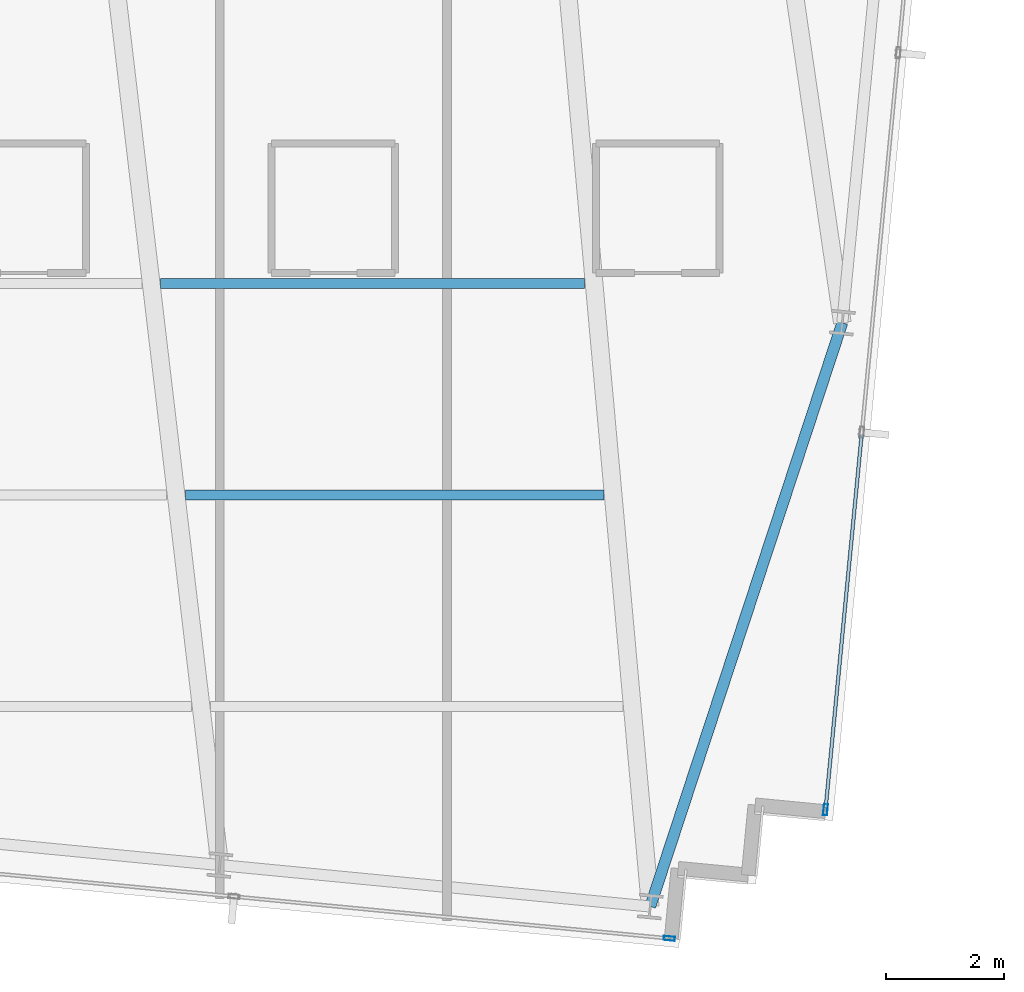
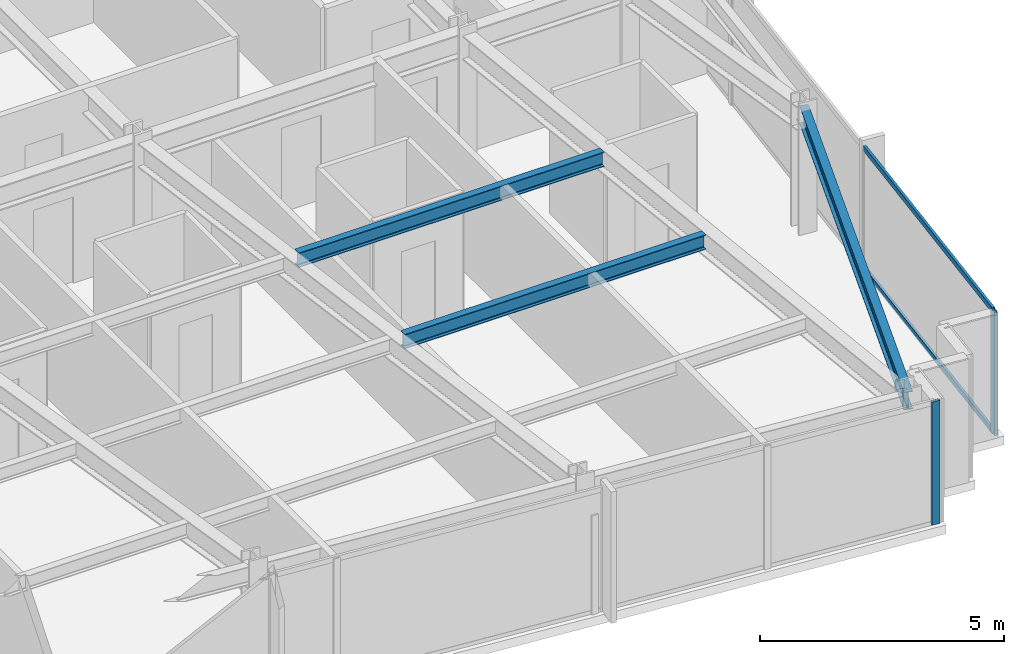
# One storey, part 14 of 37: 4 members, 3 beams, 2 elements without a shape of their own.
"""IFC4 building model written with IfcOpenShell, lengths in metres."""

import ifcopenshell
import ifcopenshell.guid

model = None  # the IFC model being written
_history = None  # IfcOwnerHistory: only IFC2X3 demands one
_inside = {}  # id of a spatial element -> (the spatial element, [elements in it])
_under = {}  # id of a project, library or spatial element -> (it, [spatial elements below it])
_declared = {}  # id of a project -> (the project, [libraries it declares])
_typed = {}  # id of a type object -> (the type object, [elements of that type])
_made_of = {}  # id of a material, layer set ... -> (it, [elements and type objects made of it])


def new_model(schema):
    """Start an empty IFC model of exactly this schema.

    Asked for "IFC4X3", IfcOpenShell would pick the latest addendum, in which some entities
    have other attributes; the version numbers below select the first issue.
    IFC2X3 requires an IfcOwnerHistory on every rooted entity: one is made here for all.
    """
    global model, _history
    if schema == "IFC4X3":
        model = ifcopenshell.file(schema_version=(4, 3, 0, 0))
    else:
        model = ifcopenshell.file(schema=schema)
    _inside.clear()
    _under.clear()
    _declared.clear()
    _typed.clear()
    _made_of.clear()
    _history = None
    if model.schema == "IFC2X3":
        org = make("IfcOrganization", Name="unknown")
        user = make(
            "IfcPersonAndOrganization",
            ThePerson=make("IfcPerson", FamilyName="unknown"),
            TheOrganization=org,
        )
        app = make(
            "IfcApplication",
            ApplicationDeveloper=org,
            Version="unknown",
            ApplicationFullName="unknown",
            ApplicationIdentifier="unknown",
        )
        _history = make(
            "IfcOwnerHistory",
            OwningUser=user,
            OwningApplication=app,
            ChangeAction="ADDED",
            CreationDate=0,
        )
    return model


def make(cls, **values):
    """One entity of the class cls with the attributes given. An attribute that is None is left unset."""
    return model.create_entity(
        cls, **{name: value for name, value in values.items() if value is not None}
    )


def rooted(cls, **values):
    """An entity with a GlobalId (a new one), such as an element, a storey or a relation."""
    return make(cls, GlobalId=ifcopenshell.guid.new(), OwnerHistory=_history, **values)


def si_unit(unit_type, name, prefix=None):
    """IfcSIUnit, for example si_unit("LENGTHUNIT", "METRE", prefix="MILLI")."""
    return make("IfcSIUnit", UnitType=unit_type, Prefix=prefix, Name=name)


def assignment(units):
    """IfcUnitAssignment: the units of a project."""
    return None if units is None else make("IfcUnitAssignment", Units=units)


def point(xyz):
    """IfcCartesianPoint."""
    return None if xyz is None else make("IfcCartesianPoint", Coordinates=xyz)


def direction(xyz):
    """IfcDirection."""
    return None if xyz is None else make("IfcDirection", DirectionRatios=xyz)


def frame(location, z_axis=None, x_axis=None):
    """IfcAxis2Placement3D, a coordinate frame: its origin and axes. An axis left out is left unset."""
    return make(
        "IfcAxis2Placement3D",
        Location=point(location),
        Axis=direction(z_axis),
        RefDirection=direction(x_axis),
    )


def frame_2d(location, x_axis=None):
    """IfcAxis2Placement2D, a coordinate frame in the plane: its origin and x axis."""
    return make(
        "IfcAxis2Placement2D", Location=point(location), RefDirection=direction(x_axis)
    )


def origin():
    """The frame at (0, 0, 0) with its axes left unset."""
    return frame((0.0, 0.0, 0.0))


def origin_2d():
    """The frame at (0, 0) in the plane with its x axis left unset."""
    return frame_2d((0.0, 0.0))


def place(relative_to, where):
    """IfcLocalPlacement: puts the frame where relative to a parent placement (None: the world)."""
    return make(
        "IfcLocalPlacement", PlacementRelTo=relative_to, RelativePlacement=where
    )


def context(
    kind, dimensions, precision=None, world=None, true_north=None, identifier=None
):
    """IfcGeometricRepresentationContext, for example the 3D "Model" context."""
    return make(
        "IfcGeometricRepresentationContext",
        ContextIdentifier=identifier,
        ContextType=kind,
        CoordinateSpaceDimension=dimensions,
        Precision=precision,
        WorldCoordinateSystem=world,
        TrueNorth=true_north,
    )


def subcontext(parent, identifier, kind, view, scale=None):
    """IfcGeometricRepresentationSubContext, for example "Body" below "Model"."""
    return make(
        "IfcGeometricRepresentationSubContext",
        ContextIdentifier=identifier,
        ContextType=kind,
        ParentContext=parent,
        TargetScale=scale,
        TargetView=view,
    )


def project(units=None, contexts=None):
    """IfcProject with its units and contexts."""
    return rooted(
        "IfcProject",
        Name="project",
        RepresentationContexts=contexts,
        UnitsInContext=assignment(units),
    )


def spatial(cls, under=None, at=None, **own):
    """A site, building, storey or space (cls), placed at a placement, below another one or the project."""
    s = rooted(cls, ObjectPlacement=at, **own)
    if under is not None:
        _under.setdefault(under.id(), (under, []))[1].append(s)
    return s


def profile(cls, at=None, kind="AREA", **sizes):
    """A parametric profile (cls). Its sizes go by their IFC names, for example OverallWidth=200.0."""
    return make(cls, ProfileType=kind, Position=at, **sizes)


def hollow_rectangle(**sizes):
    """IfcRectangleHollowProfileDef."""
    return profile("IfcRectangleHollowProfileDef", **sizes)


def i_section(**sizes):
    """IfcIShapeProfileDef."""
    return profile("IfcIShapeProfileDef", **sizes)


def extrude(swept, where, along, depth):
    """IfcExtrudedAreaSolid: the profile swept, set in the frame where, extruded along a direction by depth."""
    return make(
        "IfcExtrudedAreaSolid",
        SweptArea=swept,
        Position=where,
        ExtrudedDirection=direction(along),
        Depth=depth,
    )


def shape(context_of_items, identifier, shape_type, items):
    """IfcShapeRepresentation: the items that make up one representation, for example the "Body"."""
    return make(
        "IfcShapeRepresentation",
        ContextOfItems=context_of_items,
        RepresentationIdentifier=identifier,
        RepresentationType=shape_type,
        Items=items,
    )


def material(Name=None, Category=None):
    """IfcMaterial."""
    return make("IfcMaterial", Name=Name, Category=Category)


def material_profile(
    of_material, cross_section, Name=None, Category=None, Priority=None
):
    """IfcMaterialProfile: a cross section and its material."""
    return make(
        "IfcMaterialProfile",
        Name=Name,
        Material=of_material,
        Profile=cross_section,
        Priority=Priority,
        Category=Category,
    )


def profile_set(profiles, Name=None, composite=None):
    """IfcMaterialProfileSet."""
    return make(
        "IfcMaterialProfileSet",
        Name=Name,
        MaterialProfiles=profiles,
        CompositeProfile=composite,
    )


def made_of(thing, what):
    """Note that an element or type object is made of a material, layer set ...; save() writes the relation."""
    if what is not None:
        _made_of.setdefault(what.id(), (what, []))[1].append(thing)
    return thing


def type_object(cls, material=None, **own):
    """A type object (cls), such as IfcWallType, which elements share."""
    return made_of(rooted(cls, **own), material)


def element(
    cls,
    number,
    at=None,
    inside=None,
    cuts=None,
    type_object=None,
    material=None,
    context=None,
    identifier="Body",
    shape_type=None,
    held_by="IfcProductDefinitionShape",
    body=None,
    shapes=None,
    **own,
):
    """One element of the class cls, such as IfcWall. Its Tag is "e" and its number.

    at: its placement. inside: the storey or other place that contains it. cuts: it is an
    opening in that element (IfcRelVoidsElement). A single representation is given by context,
    identifier, shape_type and body (its items); several are given by shapes. held_by: the class
    of the entity that holds the representations. save() writes the other relations.
    """
    e = rooted(cls, Tag="e%d" % number, ObjectPlacement=at, **own)
    if body is not None:
        shapes = [shape(context, identifier, shape_type, body)]
    if shapes is not None:
        e.Representation = make(held_by, Representations=shapes)
    if inside is not None:
        _inside.setdefault(inside.id(), (inside, []))[1].append(e)
    if cuts is not None:
        rooted(
            "IfcRelVoidsElement", RelatingBuildingElement=cuts, RelatedOpeningElement=e
        )
    if type_object is not None:
        _typed.setdefault(type_object.id(), (type_object, []))[1].append(e)
    return made_of(e, material)


def aggregate(whole, parts):
    """IfcRelAggregates: a whole, such as a stair, and the parts it consists of."""
    return rooted("IfcRelAggregates", RelatingObject=whole, RelatedObjects=parts)


def save(model, path):
    """Write the relations noted so far, then the file.

    IfcRelAggregates (storeys below a building ...), IfcRelContainedInSpatialStructure (elements
    in a storey), IfcRelDefinesByType, IfcRelAssociatesMaterial and IfcRelDeclares: one each for
    every whole, place, type object, material and project.
    """
    for whole, parts in _under.values():
        aggregate(whole, parts)
    for where, things in _inside.values():
        rooted(
            "IfcRelContainedInSpatialStructure",
            RelatedElements=things,
            RelatingStructure=where,
        )
    for kind, things in _typed.values():
        rooted("IfcRelDefinesByType", RelatedObjects=things, RelatingType=kind)
    for what, things in _made_of.values():
        rooted("IfcRelAssociatesMaterial", RelatedObjects=things, RelatingMaterial=what)
    for by, libraries in _declared.values():
        rooted("IfcRelDeclares", RelatingContext=by, RelatedDefinitions=libraries)
    model.write(path)


model = new_model("IFC4")

# Units and contexts
model_context = context("Model", 3, precision=1e-05, world=origin(), true_north=direction((0.0, 1.0)))
body_context = subcontext(model_context, "Body", "Model", "MODEL_VIEW")
ifc_project = project(units=[si_unit("LENGTHUNIT", "METRE"), si_unit("AREAUNIT", "SQUARE_METRE"), si_unit("VOLUMEUNIT", "CUBIC_METRE"), si_unit("PLANEANGLEUNIT", "RADIAN"), si_unit("MASSUNIT", "GRAM", prefix="KILO")], contexts=[model_context])

# Site, building, storey
site_placement = place(None, origin())
site = spatial("IfcSite", under=ifc_project, at=site_placement, CompositionType="ELEMENT")
building_placement = place(site_placement, origin())
building = spatial("IfcBuilding", under=site, at=building_placement, Name="Yelkora Congress Tower", CompositionType="ELEMENT")
storey_placement = place(building_placement, frame((0.0, 0.0, 162.199951171875)))
storey = spatial("IfcBuildingStorey", under=building, at=storey_placement, Name="L44", CompositionType="ELEMENT", Elevation=162.199951171875)

# Beams
ifc_material_1 = material(Name="Steel S355J2", Category="steel")
ifc_material_profile_1 = material_profile(ifc_material_1, i_section(OverallWidth=0.169921875, OverallDepth=0.360107421875, WebThickness=0.008056640625, FlangeThickness=0.0126953125, FilletRadius=0.01806640625, at=origin_2d()), Name="IPE 360")
ifc_profile_set_1 = profile_set([ifc_material_profile_1], Name="Steel S355J2")
beam_type_1 = type_object("IfcBeamType", Name="BM-JOIST-IPE360", PredefinedType="JOIST", material=ifc_profile_set_1)
beam_1_placement = place(storey_placement, frame((47.27587890625, 16.421142578125, 2.900146484375), z_axis=(1.0, 0.0, 0.0), x_axis=(0.0, 1.0, 0.0)))
element("IfcBeam", 1, at=beam_1_placement, inside=storey, type_object=beam_type_1, Name="L44 Composite Floor Joist 11", PredefinedType="JOIST", context=body_context, shape_type="SweptSolid", body=[
    extrude(i_section(OverallWidth=0.169921875, OverallDepth=0.360107421875, WebThickness=0.008056640625, FlangeThickness=0.0126953125, FilletRadius=0.01806640625, at=origin_2d()), origin(), (0.0, 0.0, 1.0), 7.115234375),
])
beam_2_placement = place(storey_placement, frame((46.851318359375, 20.021240234375, 2.900146484375), z_axis=(1.0, 0.0, 0.0), x_axis=(0.0, 1.0, 0.0)))
element("IfcBeam", 2, at=beam_2_placement, inside=storey, type_object=beam_type_1, Name="L44 Composite Floor Joist 18", PredefinedType="JOIST", context=body_context, shape_type="SweptSolid", body=[
    extrude(i_section(OverallWidth=0.169921875, OverallDepth=0.360107421875, WebThickness=0.008056640625, FlangeThickness=0.0126953125, FilletRadius=0.01806640625, at=origin_2d()), origin(), (0.0, 0.0, 1.0), 7.215576171875),
])
ifc_material_profile_2 = material_profile(ifc_material_1, i_section(OverallWidth=0.18994140625, OverallDepth=0.449951171875, WebThickness=0.009521484375, FlangeThickness=0.0146484375, FilletRadius=0.02099609375, at=origin_2d()), Name="IPE 450")
ifc_profile_set_2 = profile_set([ifc_material_profile_2], Name="Steel S355J2")
beam_type_2 = type_object("IfcBeamType", Name="BM-SPAN-IPE450", PredefinedType="SPANDREL", material=ifc_profile_set_2)
beam_3_placement = place(storey_placement, frame((55.18212890625, 9.421142578125, 2.85498046875), z_axis=(0.312456737339, 0.949931990877, 0.0), x_axis=(-0.949931990877, 0.312456737339, 0.0)))
element("IfcBeam", 3, at=beam_3_placement, inside=storey, type_object=beam_type_2, Name="L44 Perimeter Beam 9", PredefinedType="SPANDREL", context=body_context, shape_type="SweptSolid", body=[
    extrude(i_section(OverallWidth=0.18994140625, OverallDepth=0.449951171875, WebThickness=0.009521484375, FlangeThickness=0.0146484375, FilletRadius=0.02099609375, at=origin_2d()), origin(), (0.0, 0.0, 1.0), 10.4560546875),
])

# Curtain wall, member
ifc_material_2 = material(Name="Anodised aluminium and insulated glass", Category="aluminium")
curtain_wall_type = type_object("IfcCurtainWallType", Name="CW-SYS-B3", PredefinedType="NOTDEFINED", material=ifc_material_2)
curtain_wall_1_placement = place(storey_placement, origin())
curtain_wall_1 = element("IfcCurtainWall", 4, at=curtain_wall_1_placement, inside=storey, type_object=curtain_wall_type, Name="L44 Unitised Curtain Wall 15", PredefinedType="NOTDEFINED")
ifc_material_3 = material(Name="Anodised aluminium 6063-T6", Category="aluminium")
ifc_material_profile_3 = material_profile(ifc_material_3, hollow_rectangle(XDim=0.070068359375, YDim=0.18994140625, WallThickness=0.00390625, at=origin_2d()), Name="ALU 70x190x4")
ifc_profile_set_3 = profile_set([ifc_material_profile_3], Name="Anodised aluminium 6063-T6")
member_type_1 = type_object("IfcMemberType", Name="MEM-ML-B3", PredefinedType="MULLION", material=ifc_profile_set_3)
member_1_placement = place(storey_placement, frame((58.163818359375, 11.068115234375, 0.0), z_axis=(0.0, 0.0, 1.0), x_axis=(0.995396565076, -0.095841944023, 0.0)))
member_1 = element("IfcMember", 5, at=member_1_placement, type_object=member_type_1, Name="CW-B3 mullion 6", PredefinedType="MULLION", context=body_context, shape_type="SweptSolid", body=[
    extrude(hollow_rectangle(XDim=0.070068359375, YDim=0.18994140625, WallThickness=0.00390625, at=origin_2d()), origin(), (0.0, 0.0, 1.0), 3.080078125),
])

curtain_wall_2_placement = place(storey_placement, origin())
curtain_wall_2 = element("IfcCurtainWall", 6, at=curtain_wall_2_placement, inside=storey, type_object=curtain_wall_type, Name="L44 Unitised Curtain Wall 20", PredefinedType="NOTDEFINED")
member_2_placement = place(storey_placement, frame((55.506591796875, 8.877685546875, 0.0), z_axis=(0.0, 0.0, 1.0), x_axis=(-0.095844680679, -0.995396301573, 0.0)))
member_2 = element("IfcMember", 7, at=member_2_placement, type_object=member_type_1, Name="CW-B3 mullion 1", PredefinedType="MULLION", context=body_context, shape_type="SweptSolid", body=[
    extrude(hollow_rectangle(XDim=0.070068359375, YDim=0.18994140625, WallThickness=0.00390625, at=origin_2d()), origin(), (0.0, 0.0, 1.0), 3.080078125),
])
aggregate(curtain_wall_2, [member_2])

# Member
ifc_material_profile_4 = material_profile(ifc_material_3, hollow_rectangle(XDim=0.06005859375, YDim=0.1298828125, WallThickness=0.00390625, at=origin_2d()), Name="ALU 60x130x4")
ifc_profile_set_4 = profile_set([ifc_material_profile_4], Name="Anodised aluminium 6063-T6")
member_type_2 = type_object("IfcMemberType", Name="MEM-TR-B3", PredefinedType="USERDEFINED", material=ifc_profile_set_4)
member_3_placement = place(storey_placement, frame((58.778564453125, 17.45263671875, 0.030029296875), z_axis=(-0.095869192297, -0.995393941095, 0.0), x_axis=(0.995393941095, -0.095869192297, 0.0)))
member_3 = element("IfcMember", 8, at=member_3_placement, type_object=member_type_2, Name="CW-B3 transom 5.1", ObjectType="TRANSOM", PredefinedType="USERDEFINED", context=body_context, shape_type="SweptSolid", body=[
    extrude(hollow_rectangle(XDim=0.06005859375, YDim=0.1298828125, WallThickness=0.00390625, at=origin_2d()), origin(), (0.0, 0.0, 1.0), 6.379150390625),
])

member_4_placement = place(storey_placement, frame((58.778564453125, 17.45263671875, 3.050048828125), z_axis=(-0.095869192297, -0.995393941095, 0.0), x_axis=(0.995393941095, -0.095869192297, 0.0)))
member_4 = element("IfcMember", 9, at=member_4_placement, type_object=member_type_2, Name="CW-B3 transom 5.2", ObjectType="TRANSOM", PredefinedType="USERDEFINED", context=body_context, shape_type="SweptSolid", body=[
    extrude(hollow_rectangle(XDim=0.06005859375, YDim=0.1298828125, WallThickness=0.00390625, at=origin_2d()), origin(), (0.0, 0.0, 1.0), 6.379150390625),
])

aggregate(curtain_wall_1, [member_1, member_3, member_4])

save(model, "model.ifc")
